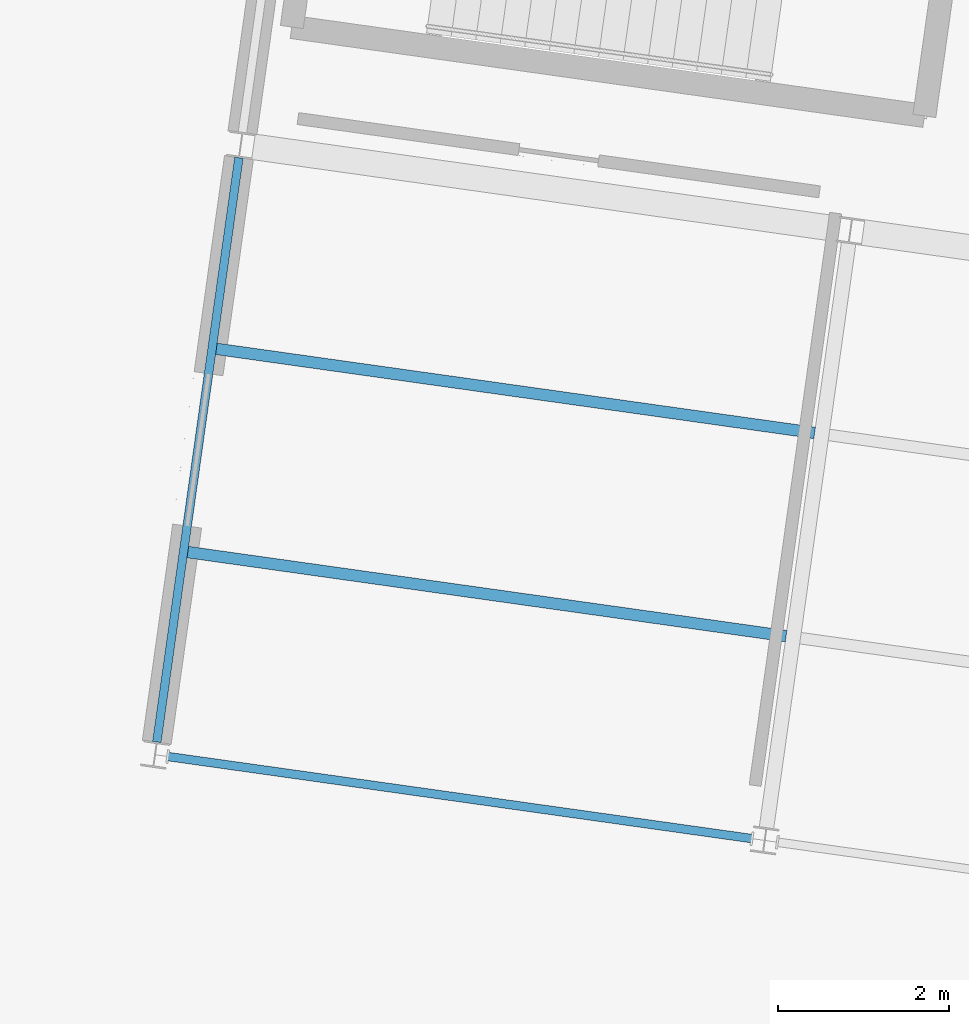
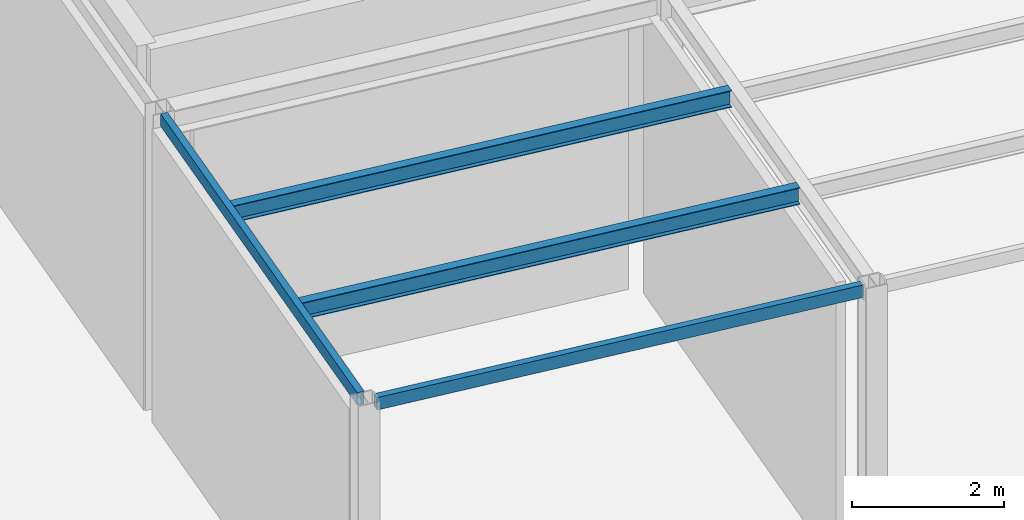
# One storey, part 19 of 57: 4 beams.
"""IFC4 building model written with IfcOpenShell, lengths in metres."""

from ifc_helpers import new_model, si_unit, direction, frame, origin, origin_2d, place, context, subcontext, project, spatial, hollow_rectangle, i_section, extrude, material, material_profile, profile_set, type_object, element, save


model = new_model("IFC4")

# Units and contexts
model_context = context("Model", 3, precision=1e-05, world=origin(), true_north=direction((0.0, 1.0)))
body_context = subcontext(model_context, "Body", "Model", "MODEL_VIEW")
ifc_project = project(units=[si_unit("LENGTHUNIT", "METRE"), si_unit("AREAUNIT", "SQUARE_METRE"), si_unit("VOLUMEUNIT", "CUBIC_METRE"), si_unit("PLANEANGLEUNIT", "RADIAN"), si_unit("MASSUNIT", "GRAM", prefix="KILO")], contexts=[model_context])

# Site, building, storey
site_placement = place(None, origin())
site = spatial("IfcSite", under=ifc_project, at=site_placement, CompositionType="ELEMENT")
building_placement = place(site_placement, origin())
building = spatial("IfcBuilding", under=site, at=building_placement, Name="Kharisveld Research Institute", CompositionType="ELEMENT")
storey_placement = place(building_placement, origin())
storey = spatial("IfcBuildingStorey", under=building, at=storey_placement, Name="L00", CompositionType="ELEMENT", Elevation=0.0)

# Beams
ifc_material_1 = material(Name="Steel S355JR", Category="steel")
ifc_material_profile_1 = material_profile(ifc_material_1, i_section(OverallWidth=0.135009765625, OverallDepth=0.27001953125, WebThickness=0.006591796875, FlangeThickness=0.01025390625, at=origin_2d()))
ifc_profile_set_1 = profile_set([ifc_material_profile_1], Name="Steel S355JR")
beam_type_1 = type_object("IfcBeamType", Name="JS_ST_IPE270", PredefinedType="JOIST", material=ifc_profile_set_1)
for number, where, z_axis, x_axis, name in (
    (1, (75.383544921875, 19.86962890625, 4.784912109375), (0.990270348398, -0.139156879401, 0.0), (0.139156879401, 0.990270348398, 0.0), "BM:V4:L00:J_0_0_R1"),
    (2, (75.717529296875, 22.246337890625, 4.784912109375), (0.990270348398, -0.139156879401, 0.0), (0.139156879401, 0.990270348398, 0.0), "BM:V4:L00:J_0_0_R2"),
):
    element("IfcBeam", number, at=place(storey_placement, frame(where, z_axis=z_axis, x_axis=x_axis)), inside=storey, type_object=beam_type_1, Name=name, PredefinedType="JOIST", context=body_context, shape_type="SweptSolid", body=[
        extrude(i_section(OverallWidth=0.135009765625, OverallDepth=0.27001953125, WebThickness=0.006591796875, FlangeThickness=0.01025390625, at=origin_2d()), origin(), (0.0, 0.0, 1.0), 7.065185546875),
    ])
ifc_material_2 = material(Name="Steel S355J2H", Category="steel")
ifc_material_profile_2 = material_profile(ifc_material_2, hollow_rectangle(XDim=0.10009765625, YDim=0.199951171875, WallThickness=0.008056640625, at=origin_2d()))
ifc_profile_set_2 = profile_set([ifc_material_profile_2], Name="Steel S355J2H")
beam_type_2 = type_object("IfcBeamType", Name="SP_ST_RHS200", PredefinedType="SPANDREL", material=ifc_profile_set_2)
for number, where, z_axis, x_axis, name in (
    (3, (75.1484375, 17.47900390625, 4.820068359375), (0.990270296504, -0.139157248683, 0.0), (0.139157248683, 0.990270296504, 0.0), "BM:V4:L00:U0_0"),
    (4, (75.02099609375, 17.6484375, 4.820068359375), (0.139157248683, 0.990270296504, 0.0), (-0.990270296504, 0.139157248683, 0.0), "BM:V4:L00:V0_0"),
):
    element("IfcBeam", number, at=place(storey_placement, frame(where, z_axis=z_axis, x_axis=x_axis)), inside=storey, type_object=beam_type_2, Name=name, PredefinedType="SPANDREL", context=body_context, shape_type="SweptSolid", body=[
        extrude(hollow_rectangle(XDim=0.10009765625, YDim=0.199951171875, WallThickness=0.008056640625, at=origin_2d()), origin(), (0.0, 0.0, 1.0), 6.900146484375),
    ])

save(model, "model.ifc")
